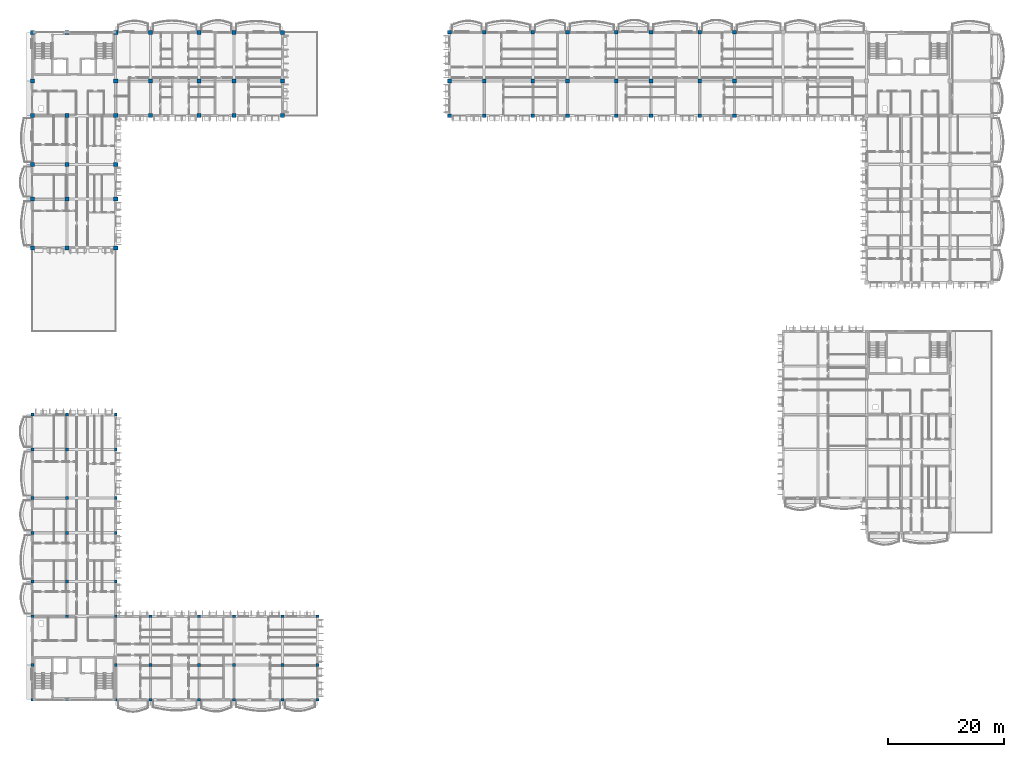
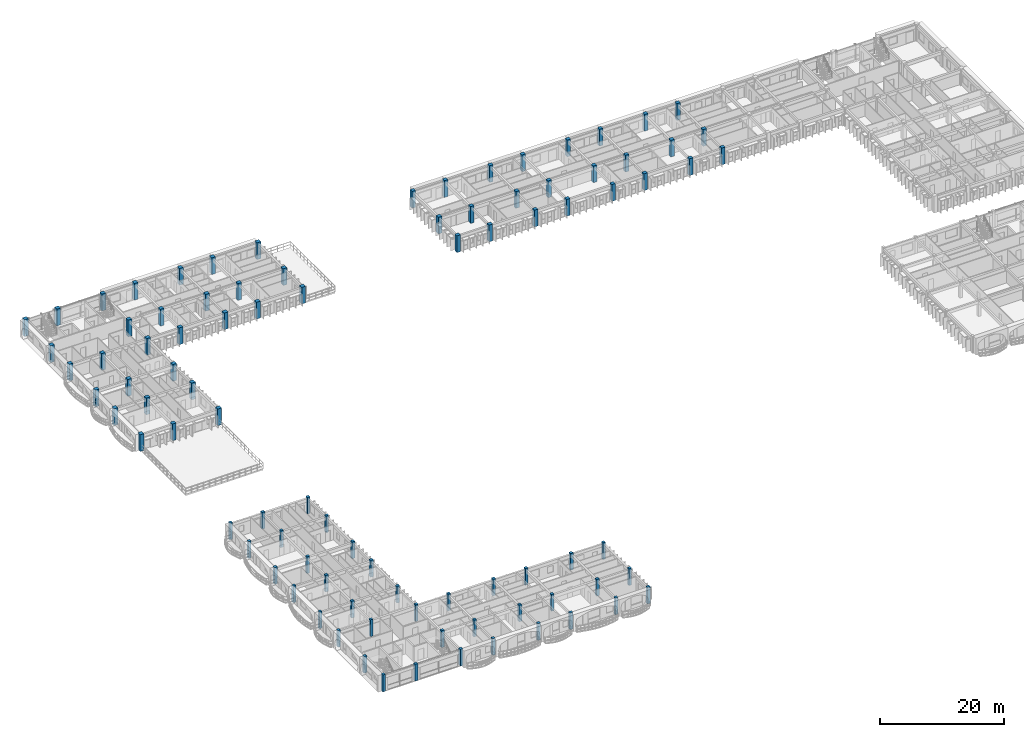
# One storey, part 1 of 66: 91 columns.
"""IFC4 building model written with IfcOpenShell, lengths in metres."""

from ifc_helpers import new_model, si_unit, direction, frame, origin, origin_2d, place, context, subcontext, project, spatial, rectangle, extrude, material, material_profile, profile_set, type_object, element, save


model = new_model("IFC4")

# Units and contexts
model_context = context("Model", 3, precision=1e-05, world=origin(), true_north=direction((0.0, 1.0)))
body_context = subcontext(model_context, "Body", "Model", "MODEL_VIEW")
ifc_project = project(units=[si_unit("LENGTHUNIT", "METRE"), si_unit("AREAUNIT", "SQUARE_METRE"), si_unit("VOLUMEUNIT", "CUBIC_METRE"), si_unit("PLANEANGLEUNIT", "RADIAN"), si_unit("MASSUNIT", "GRAM", prefix="KILO"), si_unit("THERMODYNAMICTEMPERATUREUNIT", "KELVIN")], contexts=[model_context])

# Site, building, storey
site_placement = place(None, origin())
site = spatial("IfcSite", under=ifc_project, at=site_placement, CompositionType="ELEMENT")
building_placement = place(site_placement, origin())
building = spatial("IfcBuilding", under=site, at=building_placement, Name="Thalorik Housing Commons", CompositionType="ELEMENT")
storey_placement = place(building_placement, frame((0.0, 0.0, 21.300048828125)))
storey = spatial("IfcBuildingStorey", under=building, at=storey_placement, Name="L06", CompositionType="ELEMENT", Elevation=21.300048828125)

# Columns
ifc_material = material(Name="Precast concrete C40/50", Category="concrete")
ifc_material_profile_1 = material_profile(ifc_material, rectangle(XDim=0.5, YDim=0.5, at=origin_2d()), Name="PC 500x500", Category="concrete")
ifc_profile_set_1 = profile_set([ifc_material_profile_1], Name="Precast concrete C40/50")
column_type_1 = type_object("IfcColumnType", Name="STR-COL-PC500", PredefinedType="COLUMN", material=ifc_profile_set_1)
for number, where, z_axis, x_axis, name in (
    (1, (8.39990234375, 8.39990234375, 0.0), (0.0, 0.0, 1.0), (1.0, 0.0, 0.0), "L06 Column C-500"),
    (2, (8.39990234375, 14.39990234375, 0.0), (0.0, 0.0, 1.0), (1.0, 0.0, 0.0), "L06 Column C-500"),
    (3, (8.39990234375, 22.800048828125, 0.0), (0.0, 0.0, 1.0), (1.0, 0.0, 0.0), "L06 Column C-500"),
    (4, (8.39990234375, 28.800048828125, 0.0), (0.0, 0.0, 1.0), (1.0, 0.0, 0.0), "L06 Column C-500"),
    (5, (8.39990234375, 37.199951171875, 0.0), (0.0, 0.0, 1.0), (1.0, 0.0, 0.0), "L06 Column C-500"),
    (6, (8.39990234375, 43.199951171875, 0.0), (0.0, 0.0, 1.0), (1.0, 0.0, 0.0), "L06 Column C-500"),
    (7, (8.39990234375, 51.60009765625, 0.0), (0.0, 0.0, 1.0), (1.0, 0.0, 0.0), "L06 Column C-500"),
    (8, (8.39990234375, 57.60009765625, 0.0), (0.0, 0.0, 1.0), (1.0, 0.0, 0.0), "L06 Column C-500"),
    (9, (14.39990234375, 8.39990234375, 0.0), (0.0, 0.0, 1.0), (1.0, 0.0, 0.0), "L06 Column C-500"),
    (10, (14.39990234375, 22.800048828125, 0.0), (0.0, 0.0, 1.0), (1.0, 0.0, 0.0), "L06 Column C-500"),
    (11, (14.39990234375, 28.800048828125, 0.0), (0.0, 0.0, 1.0), (1.0, 0.0, 0.0), "L06 Column C-500"),
    (12, (14.39990234375, 37.199951171875, 0.0), (0.0, 0.0, 1.0), (1.0, 0.0, 0.0), "L06 Column C-500"),
    (13, (14.39990234375, 43.199951171875, 0.0), (0.0, 0.0, 1.0), (1.0, 0.0, 0.0), "L06 Column C-500"),
    (14, (14.39990234375, 51.60009765625, 0.0), (0.0, 0.0, 1.0), (1.0, 0.0, 0.0), "L06 Column C-500"),
    (15, (14.39990234375, 57.60009765625, 0.0), (0.0, 0.0, 1.0), (1.0, 0.0, 0.0), "L06 Column C-500"),
    (16, (22.800048828125, 8.39990234375, 0.0), (0.0, 0.0, 1.0), (1.0, 0.0, 0.0), "L06 Column C-500"),
    (17, (22.800048828125, 14.39990234375, 0.0), (0.0, 0.0, 1.0), (1.0, 0.0, 0.0), "L06 Column C-500"),
    (18, (22.800048828125, 22.800048828125, 0.0), (0.0, 0.0, 1.0), (1.0, 0.0, 0.0), "L06 Column C-500"),
    (19, (22.800048828125, 28.800048828125, 0.0), (0.0, 0.0, 1.0), (1.0, 0.0, 0.0), "L06 Column C-500"),
    (20, (22.800048828125, 37.199951171875, 0.0), (0.0, 0.0, 1.0), (1.0, 0.0, 0.0), "L06 Column C-500"),
    (21, (22.800048828125, 43.199951171875, 0.0), (0.0, 0.0, 1.0), (1.0, 0.0, 0.0), "L06 Column C-500"),
    (22, (22.800048828125, 51.60009765625, 0.0), (0.0, 0.0, 1.0), (1.0, 0.0, 0.0), "L06 Column C-500"),
    (23, (22.800048828125, 57.60009765625, 0.0), (0.0, 0.0, 1.0), (1.0, 0.0, 0.0), "L06 Column C-500"),
    (24, (28.800048828125, 8.39990234375, 0.0), (0.0, 0.0, 1.0), (1.0, 0.0, 0.0), "L06 Column C-500"),
    (25, (28.800048828125, 14.39990234375, 0.0), (0.0, 0.0, 1.0), (1.0, 0.0, 0.0), "L06 Column C-500"),
    (26, (28.800048828125, 22.800048828125, 0.0), (0.0, 0.0, 1.0), (1.0, 0.0, 0.0), "L06 Column C-500"),
    (27, (37.199951171875, 8.39990234375, 0.0), (0.0, 0.0, 1.0), (1.0, 0.0, 0.0), "L06 Column C-500"),
    (28, (37.199951171875, 14.39990234375, 0.0), (0.0, 0.0, 1.0), (1.0, 0.0, 0.0), "L06 Column C-500"),
    (29, (37.199951171875, 22.800048828125, 0.0), (0.0, 0.0, 1.0), (1.0, 0.0, 0.0), "L06 Column C-500"),
    (30, (43.199951171875, 8.39990234375, 0.0), (0.0, 0.0, 1.0), (1.0, 0.0, 0.0), "L06 Column C-500"),
    (31, (43.199951171875, 14.39990234375, 0.0), (0.0, 0.0, 1.0), (1.0, 0.0, 0.0), "L06 Column C-500"),
    (32, (43.199951171875, 22.800048828125, 0.0), (0.0, 0.0, 1.0), (1.0, 0.0, 0.0), "L06 Column C-500"),
    (33, (51.60009765625, 8.39990234375, 0.0), (0.0, 0.0, 1.0), (1.0, 0.0, 0.0), "L06 Column C-500"),
    (34, (51.60009765625, 14.39990234375, 0.0), (0.0, 0.0, 1.0), (1.0, 0.0, 0.0), "L06 Column C-500"),
    (35, (51.60009765625, 22.800048828125, 0.0), (0.0, 0.0, 1.0), (1.0, 0.0, 0.0), "L06 Column C-500"),
    (36, (57.60009765625, 8.39990234375, 0.0), (0.0, 0.0, 1.0), (1.0, 0.0, 0.0), "L06 Column C-500"),
    (37, (57.60009765625, 14.39990234375, 0.0), (0.0, 0.0, 1.0), (1.0, 0.0, 0.0), "L06 Column C-500"),
    (38, (57.60009765625, 22.800048828125, 0.0), (0.0, 0.0, 1.0), (1.0, 0.0, 0.0), "L06 Column C-500"),
):
    element("IfcColumn", number, at=place(storey_placement, frame(where, z_axis=z_axis, x_axis=x_axis)), inside=storey, type_object=column_type_1, Name=name, PredefinedType="COLUMN", context=body_context, shape_type="SweptSolid", body=[
        extrude(rectangle(XDim=0.5, YDim=0.5, at=origin_2d()), origin(), (0.0, 0.0, 1.0), 3.300048828125),
    ])
ifc_material_profile_2 = material_profile(ifc_material, rectangle(XDim=0.64990234375, YDim=0.64990234375, at=origin_2d()), Name="PC 650x650", Category="concrete")
ifc_profile_set_2 = profile_set([ifc_material_profile_2], Name="Precast concrete C40/50")
column_type_2 = type_object("IfcColumnType", Name="STR-COL-PC650", PredefinedType="COLUMN", material=ifc_profile_set_2)
for number, where, z_axis, x_axis, name in (
    (39, (80.39990234375, 109.199951171875, 0.0), (0.0, 0.0, 1.0), (1.0, 0.0, 0.0), "L06 Column C-650"),
    (40, (80.39990234375, 115.199951171875, 0.0), (0.0, 0.0, 1.0), (1.0, 0.0, 0.0), "L06 Column C-650"),
    (41, (80.39990234375, 123.60009765625, 0.0), (0.0, 0.0, 1.0), (1.0, 0.0, 0.0), "L06 Column C-650"),
    (42, (86.39990234375, 109.199951171875, 0.0), (0.0, 0.0, 1.0), (1.0, 0.0, 0.0), "L06 Column C-650"),
    (43, (86.39990234375, 115.199951171875, 0.0), (0.0, 0.0, 1.0), (1.0, 0.0, 0.0), "L06 Column C-650"),
    (44, (86.39990234375, 123.60009765625, 0.0), (0.0, 0.0, 1.0), (1.0, 0.0, 0.0), "L06 Column C-650"),
    (45, (94.800048828125, 109.199951171875, 0.0), (0.0, 0.0, 1.0), (1.0, 0.0, 0.0), "L06 Column C-650"),
    (46, (94.800048828125, 115.199951171875, 0.0), (0.0, 0.0, 1.0), (1.0, 0.0, 0.0), "L06 Column C-650"),
    (47, (94.800048828125, 123.60009765625, 0.0), (0.0, 0.0, 1.0), (1.0, 0.0, 0.0), "L06 Column C-650"),
    (48, (100.800048828125, 109.199951171875, 0.0), (0.0, 0.0, 1.0), (1.0, 0.0, 0.0), "L06 Column C-650"),
    (49, (100.800048828125, 115.199951171875, 0.0), (0.0, 0.0, 1.0), (1.0, 0.0, 0.0), "L06 Column C-650"),
    (50, (100.800048828125, 123.60009765625, 0.0), (0.0, 0.0, 1.0), (1.0, 0.0, 0.0), "L06 Column C-650"),
    (51, (109.199951171875, 109.199951171875, 0.0), (0.0, 0.0, 1.0), (1.0, 0.0, 0.0), "L06 Column C-650"),
    (52, (109.199951171875, 115.199951171875, 0.0), (0.0, 0.0, 1.0), (1.0, 0.0, 0.0), "L06 Column C-650"),
    (53, (109.199951171875, 123.60009765625, 0.0), (0.0, 0.0, 1.0), (1.0, 0.0, 0.0), "L06 Column C-650"),
    (54, (115.199951171875, 109.199951171875, 0.0), (0.0, 0.0, 1.0), (1.0, 0.0, 0.0), "L06 Column C-650"),
    (55, (115.199951171875, 115.199951171875, 0.0), (0.0, 0.0, 1.0), (1.0, 0.0, 0.0), "L06 Column C-650"),
    (56, (115.199951171875, 123.60009765625, 0.0), (0.0, 0.0, 1.0), (1.0, 0.0, 0.0), "L06 Column C-650"),
    (57, (123.60009765625, 109.199951171875, 0.0), (0.0, 0.0, 1.0), (1.0, 0.0, 0.0), "L06 Column C-650"),
    (58, (123.60009765625, 115.199951171875, 0.0), (0.0, 0.0, 1.0), (1.0, 0.0, 0.0), "L06 Column C-650"),
    (59, (123.60009765625, 123.60009765625, 0.0), (0.0, 0.0, 1.0), (1.0, 0.0, 0.0), "L06 Column C-650"),
    (60, (129.60009765625, 109.199951171875, 0.0), (0.0, 0.0, 1.0), (1.0, 0.0, 0.0), "L06 Column C-650"),
    (61, (129.60009765625, 115.199951171875, 0.0), (0.0, 0.0, 1.0), (1.0, 0.0, 0.0), "L06 Column C-650"),
    (62, (129.60009765625, 123.60009765625, 0.0), (0.0, 0.0, 1.0), (1.0, 0.0, 0.0), "L06 Column C-650"),
):
    element("IfcColumn", number, at=place(storey_placement, frame(where, z_axis=z_axis, x_axis=x_axis)), inside=storey, type_object=column_type_2, Name=name, PredefinedType="COLUMN", context=body_context, shape_type="SweptSolid", body=[
        extrude(rectangle(XDim=0.64990234375, YDim=0.64990234375, at=origin_2d()), origin(), (0.0, 0.0, 1.0), 3.300048828125),
    ])
ifc_material_profile_3 = material_profile(ifc_material, rectangle(XDim=0.699951171875, YDim=0.699951171875, at=origin_2d()), Name="PC 700x700", Category="concrete")
ifc_profile_set_3 = profile_set([ifc_material_profile_3], Name="Precast concrete C40/50")
column_type_3 = type_object("IfcColumnType", Name="STR-COL-PC700", PredefinedType="COLUMN", material=ifc_profile_set_3)
for number, where, z_axis, x_axis, name in (
    (63, (8.39990234375, 86.39990234375, 0.0), (0.0, 0.0, 1.0), (1.0, 0.0, 0.0), "L06 Column C-700"),
    (64, (8.39990234375, 94.800048828125, 0.0), (0.0, 0.0, 1.0), (1.0, 0.0, 0.0), "L06 Column C-700"),
    (65, (8.39990234375, 100.800048828125, 0.0), (0.0, 0.0, 1.0), (1.0, 0.0, 0.0), "L06 Column C-700"),
    (66, (8.39990234375, 109.199951171875, 0.0), (0.0, 0.0, 1.0), (1.0, 0.0, 0.0), "L06 Column C-700"),
    (67, (8.39990234375, 115.199951171875, 0.0), (0.0, 0.0, 1.0), (1.0, 0.0, 0.0), "L06 Column C-700"),
    (68, (8.39990234375, 123.60009765625, 0.0), (0.0, 0.0, 1.0), (1.0, 0.0, 0.0), "L06 Column C-700"),
    (69, (14.39990234375, 86.39990234375, 0.0), (0.0, 0.0, 1.0), (1.0, 0.0, 0.0), "L06 Column C-700"),
    (70, (14.39990234375, 94.800048828125, 0.0), (0.0, 0.0, 1.0), (1.0, 0.0, 0.0), "L06 Column C-700"),
    (71, (14.39990234375, 100.800048828125, 0.0), (0.0, 0.0, 1.0), (1.0, 0.0, 0.0), "L06 Column C-700"),
    (72, (14.39990234375, 109.199951171875, 0.0), (0.0, 0.0, 1.0), (1.0, 0.0, 0.0), "L06 Column C-700"),
    (73, (14.39990234375, 123.60009765625, 0.0), (0.0, 0.0, 1.0), (1.0, 0.0, 0.0), "L06 Column C-700"),
    (74, (22.800048828125, 86.39990234375, 0.0), (0.0, 0.0, 1.0), (1.0, 0.0, 0.0), "L06 Column C-700"),
    (75, (22.800048828125, 94.800048828125, 0.0), (0.0, 0.0, 1.0), (1.0, 0.0, 0.0), "L06 Column C-700"),
    (76, (22.800048828125, 100.800048828125, 0.0), (0.0, 0.0, 1.0), (1.0, 0.0, 0.0), "L06 Column C-700"),
    (77, (22.800048828125, 109.199951171875, 0.0), (0.0, 0.0, 1.0), (1.0, 0.0, 0.0), "L06 Column C-700"),
    (78, (22.800048828125, 115.199951171875, 0.0), (0.0, 0.0, 1.0), (1.0, 0.0, 0.0), "L06 Column C-700"),
    (79, (22.800048828125, 123.60009765625, 0.0), (0.0, 0.0, 1.0), (1.0, 0.0, 0.0), "L06 Column C-700"),
    (80, (28.800048828125, 109.199951171875, 0.0), (0.0, 0.0, 1.0), (1.0, 0.0, 0.0), "L06 Column C-700"),
    (81, (28.800048828125, 115.199951171875, 0.0), (0.0, 0.0, 1.0), (1.0, 0.0, 0.0), "L06 Column C-700"),
    (82, (28.800048828125, 123.60009765625, 0.0), (0.0, 0.0, 1.0), (1.0, 0.0, 0.0), "L06 Column C-700"),
    (83, (37.199951171875, 109.199951171875, 0.0), (0.0, 0.0, 1.0), (1.0, 0.0, 0.0), "L06 Column C-700"),
    (84, (37.199951171875, 115.199951171875, 0.0), (0.0, 0.0, 1.0), (1.0, 0.0, 0.0), "L06 Column C-700"),
    (85, (37.199951171875, 123.60009765625, 0.0), (0.0, 0.0, 1.0), (1.0, 0.0, 0.0), "L06 Column C-700"),
    (86, (43.199951171875, 109.199951171875, 0.0), (0.0, 0.0, 1.0), (1.0, 0.0, 0.0), "L06 Column C-700"),
    (87, (43.199951171875, 115.199951171875, 0.0), (0.0, 0.0, 1.0), (1.0, 0.0, 0.0), "L06 Column C-700"),
    (88, (43.199951171875, 123.60009765625, 0.0), (0.0, 0.0, 1.0), (1.0, 0.0, 0.0), "L06 Column C-700"),
    (89, (51.60009765625, 109.199951171875, 0.0), (0.0, 0.0, 1.0), (1.0, 0.0, 0.0), "L06 Column C-700"),
    (90, (51.60009765625, 115.199951171875, 0.0), (0.0, 0.0, 1.0), (1.0, 0.0, 0.0), "L06 Column C-700"),
    (91, (51.60009765625, 123.60009765625, 0.0), (0.0, 0.0, 1.0), (1.0, 0.0, 0.0), "L06 Column C-700"),
):
    element("IfcColumn", number, at=place(storey_placement, frame(where, z_axis=z_axis, x_axis=x_axis)), inside=storey, type_object=column_type_3, Name=name, PredefinedType="COLUMN", context=body_context, shape_type="SweptSolid", body=[
        extrude(rectangle(XDim=0.699951171875, YDim=0.699951171875, at=origin_2d()), origin(), (0.0, 0.0, 1.0), 3.300048828125),
    ])

save(model, "model.ifc")
